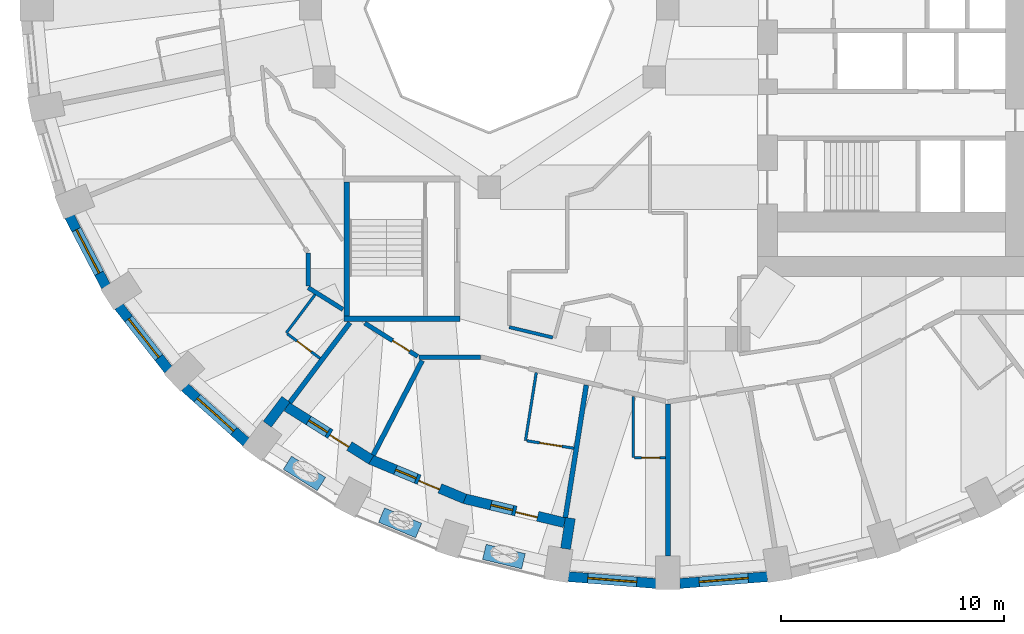
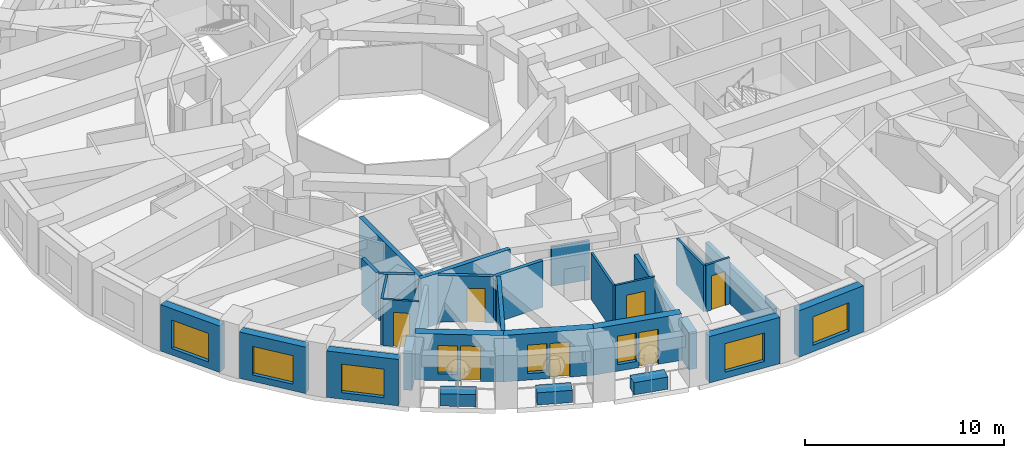
# One storey, part 3 of 13: 30 walls, 8 windows, 7 doors, 15 openings.
"""IFC4 building model written with IfcOpenShell, lengths in metres."""

from ifc_helpers import new_model, si_unit, direction, frame, frame_2d, origin, place, context, subcontext, project, spatial, rectangle, extrude, material, layer, layer_set, constituent, constituent_set, type_object, element, fill, save


model = new_model("IFC4")

# Units and contexts
model_context = context("Model", 3, precision=1e-05, world=origin(), true_north=direction((0.0, 1.0)))
body_context = subcontext(model_context, "Body", "Model", "MODEL_VIEW")
ifc_project = project(units=[si_unit("LENGTHUNIT", "METRE"), si_unit("AREAUNIT", "SQUARE_METRE"), si_unit("VOLUMEUNIT", "CUBIC_METRE"), si_unit("PLANEANGLEUNIT", "RADIAN"), si_unit("MASSUNIT", "GRAM", prefix="KILO")], contexts=[model_context])

# Site, building, storey
site_placement = place(None, origin())
site = spatial("IfcSite", under=ifc_project, at=site_placement, CompositionType="ELEMENT")
building_placement = place(site_placement, origin())
building = spatial("IfcBuilding", under=site, at=building_placement, Name="Taillehof Tower", CompositionType="ELEMENT")
storey_placement = place(building_placement, frame((0.0, 0.0, 81.10009765625)))
storey = spatial("IfcBuildingStorey", under=building, at=storey_placement, Name="L22", CompositionType="ELEMENT", Elevation=81.10009765625)

# Wall, opening, window
ifc_material_1 = material(Name="Brick masonry", Category="masonry")
ifc_layer_1 = layer(ifc_material_1, 0.449951171875)
ifc_layer_set_1 = layer_set([ifc_layer_1], Name="Brick infill wall 450")
wall_type_1 = type_object("IfcWallType", Name="Brick infill wall 450", PredefinedType="SOLIDWALL", material=ifc_layer_set_1)
wall_1_placement = place(storey_placement, frame((-26.78564453125, -9.30517578125, 0.0), z_axis=(0.0, 0.0, 1.0), x_axis=(0.462492775226, -0.886623050041, 0.0)))
wall_1 = element("IfcWall", 1, at=wall_1_placement, inside=storey, type_object=wall_type_1, Name="Brick wall L22 bay 21", PredefinedType="SOLIDWALL", context=body_context, shape_type="SweptSolid", body=[
    extrude(rectangle(XDim=3.531982421875, YDim=0.449951171875, at=frame_2d((1.76611328125, 0.0))), origin(), (0.0, 0.0, 1.0), 2.849853515625),
])
opening_1_placement = place(wall_1_placement, frame((0.666015625, 0.0, 0.39990234375)))
opening_1 = element("IfcOpeningElement", 2, at=opening_1_placement, cuts=wall_1, Name="Opening W1", PredefinedType="OPENING", context=body_context, shape_type="SweptSolid", body=[
    extrude(rectangle(XDim=2.199951171875, YDim=1.75, at=frame_2d((1.10009765625, 0.875))), frame((0.0, 0.23486328125, 0.0), z_axis=(0.0, -1.0, 0.0), x_axis=(1.0, 0.0, 0.0)), (0.0, 0.0, 1.0), 0.469970703125),
])
ifc_material_2 = material(Name="Aluminium window frame with clear double glazing", Category="aluminium")
window_type_1 = type_object("IfcWindowType", Name="Deep-set window 2200x1750", PartitioningType="SINGLE_PANEL", PredefinedType="WINDOW", material=ifc_material_2)
window_1_placement = place(opening_1_placement, origin())
window_1 = element("IfcWindow", 3, at=window_1_placement, inside=storey, type_object=window_type_1, Name="W1", OverallHeight=1.75, OverallWidth=2.199951171875, PartitioningType="SINGLE_PANEL", PredefinedType="WINDOW", context=body_context, shape_type="SweptSolid", body=[
    extrude(rectangle(XDim=2.199951171875, YDim=1.75, at=frame_2d((1.10009765625, 0.875))), frame((0.0, 0.034912109375, 0.0), z_axis=(0.0, -1.0, 0.0), x_axis=(1.0, 0.0, 0.0)), (0.0, 0.0, 1.0), 0.06005859375),
])
fill(opening_1, window_1)

wall_2_placement = place(storey_placement, frame((-24.57763671875, -13.327880859375, 0.0), z_axis=(0.0, 0.0, 1.0), x_axis=(0.616661975264, -0.787228053529, 0.0)))
wall_2 = element("IfcWall", 4, at=wall_2_placement, inside=storey, type_object=wall_type_1, Name="Brick wall L22 bay 22", PredefinedType="SOLIDWALL", context=body_context, shape_type="SweptSolid", body=[
    extrude(rectangle(XDim=3.60986328125, YDim=0.449951171875, at=frame_2d((1.804931640625, 0.0))), origin(), (0.0, 0.0, 1.0), 2.849853515625),
])
opening_2_placement = place(wall_2_placement, frame((0.704833984375, 0.0, 0.39990234375)))
opening_2 = element("IfcOpeningElement", 5, at=opening_2_placement, cuts=wall_2, Name="Opening W1", PredefinedType="OPENING", context=body_context, shape_type="SweptSolid", body=[
    extrude(rectangle(XDim=2.199951171875, YDim=1.75, at=frame_2d((1.10009765625, 0.875))), frame((0.0, 0.23486328125, 0.0), z_axis=(0.0, -1.0, 0.0), x_axis=(1.0, 0.0, 0.0)), (0.0, 0.0, 1.0), 0.469970703125),
])
window_2_placement = place(opening_2_placement, origin())
window_2 = element("IfcWindow", 6, at=window_2_placement, inside=storey, type_object=window_type_1, Name="W1", OverallHeight=1.75, OverallWidth=2.199951171875, PartitioningType="SINGLE_PANEL", PredefinedType="WINDOW", context=body_context, shape_type="SweptSolid", body=[
    extrude(rectangle(XDim=2.199951171875, YDim=1.75, at=frame_2d((1.10009765625, 0.875))), frame((0.0, 0.034912109375, 0.0), z_axis=(0.0, -1.0, 0.0), x_axis=(1.0, 0.0, 0.0)), (0.0, 0.0, 1.0), 0.06005859375),
])
fill(opening_2, window_2)

wall_3_placement = place(storey_placement, frame((-21.626708984375, -16.943115234375, 0.0), z_axis=(0.0, 0.0, 1.0), x_axis=(0.745526233716, -0.66647628228, 0.0)))
wall_3 = element("IfcWall", 7, at=wall_3_placement, inside=storey, type_object=wall_type_1, Name="Brick wall L22 bay 23", PredefinedType="SOLIDWALL", context=body_context, shape_type="SweptSolid", body=[
    extrude(rectangle(XDim=3.69677734375, YDim=0.449951171875, at=frame_2d((1.848388671875, 0.0))), origin(), (0.0, 0.0, 1.0), 2.849853515625),
])
opening_3_placement = place(wall_3_placement, frame((0.74853515625, 0.0, 0.39990234375)))
opening_3 = element("IfcOpeningElement", 8, at=opening_3_placement, cuts=wall_3, Name="Opening W1", PredefinedType="OPENING", context=body_context, shape_type="SweptSolid", body=[
    extrude(rectangle(XDim=2.199951171875, YDim=1.75, at=frame_2d((1.10009765625, 0.875))), frame((0.0, 0.23486328125, 0.0), z_axis=(0.0, -1.0, 0.0), x_axis=(1.0, 0.0, 0.0)), (0.0, 0.0, 1.0), 0.469970703125),
])
window_3_placement = place(opening_3_placement, origin())
window_3 = element("IfcWindow", 9, at=window_3_placement, inside=storey, type_object=window_type_1, Name="W1", OverallHeight=1.75, OverallWidth=2.199951171875, PartitioningType="SINGLE_PANEL", PredefinedType="WINDOW", context=body_context, shape_type="SweptSolid", body=[
    extrude(rectangle(XDim=2.199951171875, YDim=1.75, at=frame_2d((1.10009765625, 0.875))), frame((0.0, 0.034912109375, 0.0), z_axis=(0.0, -1.0, 0.0), x_axis=(1.0, 0.0, 0.0)), (0.0, 0.0, 1.0), 0.06005859375),
])
fill(opening_3, window_3)

wall_4_placement = place(storey_placement, frame((-4.457275390625, -25.42578125, 0.0), z_axis=(0.0, 0.0, 1.0), x_axis=(0.996955972145, -0.077966592873, 0.0)))
wall_4 = element("IfcWall", 10, at=wall_4_placement, inside=storey, type_object=wall_type_1, Name="Brick wall L22 bay 27", PredefinedType="SOLIDWALL", context=body_context, shape_type="SweptSolid", body=[
    extrude(rectangle(XDim=3.939208984375, YDim=0.449951171875, at=frame_2d((1.9697265625, 0.0))), origin(), (0.0, 0.0, 1.0), 2.849853515625),
])
opening_4_placement = place(wall_4_placement, frame((0.86962890625, 0.0, 0.39990234375)))
opening_4 = element("IfcOpeningElement", 11, at=opening_4_placement, cuts=wall_4, Name="Opening W1", PredefinedType="OPENING", context=body_context, shape_type="SweptSolid", body=[
    extrude(rectangle(XDim=2.199951171875, YDim=1.75, at=frame_2d((1.10009765625, 0.875))), frame((0.0, 0.23486328125, 0.0), z_axis=(0.0, -1.0, 0.0), x_axis=(1.0, 0.0, 0.0)), (0.0, 0.0, 1.0), 0.469970703125),
])
window_4_placement = place(opening_4_placement, origin())
window_4 = element("IfcWindow", 12, at=window_4_placement, inside=storey, type_object=window_type_1, Name="W1", OverallHeight=1.75, OverallWidth=2.199951171875, PartitioningType="SINGLE_PANEL", PredefinedType="WINDOW", context=body_context, shape_type="SweptSolid", body=[
    extrude(rectangle(XDim=2.199951171875, YDim=1.75, at=frame_2d((1.10009765625, 0.875))), frame((0.0, 0.034912109375, 0.0), z_axis=(0.0, -1.0, 0.0), x_axis=(1.0, 0.0, 0.0)), (0.0, 0.0, 1.0), 0.06005859375),
])
fill(opening_4, window_4)

wall_5_placement = place(storey_placement, frame((0.530029296875, -25.73291015625, 0.0), z_axis=(0.0, 0.0, 1.0), x_axis=(0.996955972145, 0.077966592873, 0.0)))
wall_5 = element("IfcWall", 13, at=wall_5_placement, inside=storey, type_object=wall_type_1, Name="Brick wall L22 bay 28", PredefinedType="SOLIDWALL", context=body_context, shape_type="SweptSolid", body=[
    extrude(rectangle(XDim=3.939208984375, YDim=0.449951171875, at=frame_2d((1.9697265625, 0.0))), origin(), (0.0, 0.0, 1.0), 2.849853515625),
])
opening_5_placement = place(wall_5_placement, frame((0.86962890625, 0.0, 0.39990234375)))
opening_5 = element("IfcOpeningElement", 14, at=opening_5_placement, cuts=wall_5, Name="Opening W1", PredefinedType="OPENING", context=body_context, shape_type="SweptSolid", body=[
    extrude(rectangle(XDim=2.199951171875, YDim=1.75, at=frame_2d((1.10009765625, 0.875))), frame((0.0, 0.23486328125, 0.0), z_axis=(0.0, -1.0, 0.0), x_axis=(1.0, 0.0, 0.0)), (0.0, 0.0, 1.0), 0.469970703125),
])
window_5_placement = place(opening_5_placement, origin())
window_5 = element("IfcWindow", 15, at=window_5_placement, inside=storey, type_object=window_type_1, Name="W1", OverallHeight=1.75, OverallWidth=2.199951171875, PartitioningType="SINGLE_PANEL", PredefinedType="WINDOW", context=body_context, shape_type="SweptSolid", body=[
    extrude(rectangle(XDim=2.199951171875, YDim=1.75, at=frame_2d((1.10009765625, 0.875))), frame((0.0, 0.034912109375, 0.0), z_axis=(0.0, -1.0, 0.0), x_axis=(1.0, 0.0, 0.0)), (0.0, 0.0, 1.0), 0.06005859375),
])
fill(opening_5, window_5)

# Walls
wall_6_placement = place(storey_placement, frame((-17.931640625, -18.60009765625, 0.0), z_axis=(0.0, 0.0, 1.0), x_axis=(0.601262851241, 0.799051302306, 0.0)))
element("IfcWall", 16, at=wall_6_placement, inside=storey, type_object=wall_type_1, Name="Brick reveal L22 pocket 7", PredefinedType="SOLIDWALL", context=body_context, shape_type="SweptSolid", body=[
    extrude(rectangle(XDim=1.39111328125, YDim=0.449951171875, at=frame_2d((0.695556640625, 0.0))), origin(), (0.0, 0.0, 1.0), 2.39990234375),
])
wall_7_placement = place(storey_placement, frame((-4.58251953125, -24.178466796875, 0.0), z_axis=(0.0, 0.0, 1.0), x_axis=(0.156133927791, 0.98773589415, 0.0)))
element("IfcWall", 17, at=wall_7_placement, inside=storey, type_object=wall_type_1, Name="Brick reveal L22 pocket 7", PredefinedType="SOLIDWALL", context=body_context, shape_type="SweptSolid", body=[
    extrude(rectangle(XDim=1.39013671875, YDim=0.449951171875, at=frame_2d((0.695068359375, 0.0))), origin(), (0.0, 0.0, 1.0), 2.2998046875),
])

# Wall, openings, door, window
wall_8_placement = place(storey_placement, frame((-17.062255859375, -17.81884765625, 0.0), z_axis=(0.0, 0.0, 1.0), x_axis=(0.846990101364, -0.531608660757, 0.0)))
wall_8 = element("IfcWall", 18, at=wall_8_placement, inside=storey, type_object=wall_type_1, Name="Brick wall L22 pocket bay 24", PredefinedType="SOLIDWALL", context=body_context, shape_type="SweptSolid", body=[
    extrude(rectangle(XDim=4.468994140625, YDim=0.449951171875, at=frame_2d((2.234375, 0.0))), origin(), (0.0, 0.0, 1.0), 2.849853515625),
])
opening_6_placement = place(wall_8_placement, frame((1.159423828125, 0.0, 0.39990234375)))
opening_6 = element("IfcOpeningElement", 19, at=opening_6_placement, cuts=wall_8, Name="Opening W5", PredefinedType="OPENING", context=body_context, shape_type="SweptSolid", body=[
    extrude(rectangle(XDim=1.0, YDim=1.75, at=frame_2d((0.5, 0.875))), frame((0.0, 0.23486328125, 0.0), z_axis=(0.0, -1.0, 0.0), x_axis=(1.0, 0.0, 0.0)), (0.0, 0.0, 1.0), 0.469970703125),
])
opening_7_placement = place(wall_8_placement, frame((2.3095703125, 0.0, 0.0)))
opening_7 = element("IfcOpeningElement", 20, at=opening_7_placement, cuts=wall_8, Name="Opening D2294", PredefinedType="OPENING", context=body_context, shape_type="SweptSolid", body=[
    extrude(rectangle(XDim=1.0, YDim=2.14990234375, at=frame_2d((0.5, 1.074951171875))), frame((0.0, 0.23486328125, 0.0), z_axis=(0.0, -1.0, 0.0), x_axis=(1.0, 0.0, 0.0)), (0.0, 0.0, 1.0), 0.469970703125),
])
ifc_material_3 = material(Name="Aluminium door frame with clear double glazing", Category="aluminium")
door_type_1 = type_object("IfcDoorType", Name="Balcony door 1000x2150", OperationType="SINGLE_SWING_RIGHT", PredefinedType="DOOR", material=ifc_material_3)
door_1_placement = place(opening_7_placement, frame((1.0, 0.0, 0.0), z_axis=(0.0, 0.0, 1.0), x_axis=(-1.0, 0.0, 0.0)))
door_1 = element("IfcDoor", 21, at=door_1_placement, inside=storey, type_object=door_type_1, Name="Balcony door L22 bay 24", OperationType="SINGLE_SWING_RIGHT", OverallHeight=2.14990234375, OverallWidth=1.0, PredefinedType="DOOR", context=body_context, shape_type="SweptSolid", body=[
    extrude(rectangle(XDim=1.0, YDim=2.14990234375, at=frame_2d((0.5, 1.074951171875))), frame((0.0, 0.0751953125, 0.0), z_axis=(0.0, -1.0, 0.0), x_axis=(1.0, 0.0, 0.0)), (0.0, 0.0, 1.0), 0.050048828125),
])
fill(opening_7, door_1)
ifc_material_4 = material(Name="Aluminium window frame with clear double glazing", Category="aluminium")
window_type_2 = type_object("IfcWindowType", Name="Fixed window 1000x1750", PartitioningType="SINGLE_PANEL", PredefinedType="WINDOW", material=ifc_material_4)
window_6_placement = place(opening_6_placement, origin())
window_6 = element("IfcWindow", 22, at=window_6_placement, inside=storey, type_object=window_type_2, Name="W5", OverallHeight=1.75, OverallWidth=1.0, PartitioningType="SINGLE_PANEL", PredefinedType="WINDOW", context=body_context, shape_type="SweptSolid", body=[
    extrude(rectangle(XDim=1.0, YDim=1.75, at=frame_2d((0.5, 0.875))), frame((0.0, 0.034912109375, 0.0), z_axis=(0.0, -1.0, 0.0), x_axis=(1.0, 0.0, 0.0)), (0.0, 0.0, 1.0), 0.06005859375),
])
fill(opening_6, window_6)

wall_9_placement = place(storey_placement, frame((-13.31005859375, -20.177734375, 0.0), z_axis=(0.0, 0.0, 1.0), x_axis=(0.922634412489, -0.385675693935, 0.0)))
wall_9 = element("IfcWall", 23, at=wall_9_placement, inside=storey, type_object=wall_type_1, Name="Brick wall L22 pocket bay 25", PredefinedType="SOLIDWALL", context=body_context, shape_type="SweptSolid", body=[
    extrude(rectangle(XDim=4.57666015625, YDim=0.449951171875, at=frame_2d((2.288330078125, 0.0))), origin(), (0.0, 0.0, 1.0), 2.849853515625),
])
opening_8_placement = place(wall_9_placement, frame((1.21337890625, 0.0, 0.39990234375)))
opening_8 = element("IfcOpeningElement", 24, at=opening_8_placement, cuts=wall_9, Name="Opening W5", PredefinedType="OPENING", context=body_context, shape_type="SweptSolid", body=[
    extrude(rectangle(XDim=1.0, YDim=1.75, at=frame_2d((0.5, 0.875))), frame((0.0, 0.23486328125, 0.0), z_axis=(0.0, -1.0, 0.0), x_axis=(1.0, 0.0, 0.0)), (0.0, 0.0, 1.0), 0.469970703125),
])
opening_9_placement = place(wall_9_placement, frame((2.36328125, 0.0, 0.0)))
opening_9 = element("IfcOpeningElement", 25, at=opening_9_placement, cuts=wall_9, Name="Opening D2295", PredefinedType="OPENING", context=body_context, shape_type="SweptSolid", body=[
    extrude(rectangle(XDim=1.0, YDim=2.14990234375, at=frame_2d((0.5, 1.074951171875))), frame((0.0, 0.23486328125, 0.0), z_axis=(0.0, -1.0, 0.0), x_axis=(1.0, 0.0, 0.0)), (0.0, 0.0, 1.0), 0.469970703125),
])
door_2_placement = place(opening_9_placement, frame((1.0, 0.0, 0.0), z_axis=(0.0, 0.0, 1.0), x_axis=(-1.0, 0.0, 0.0)))
door_2 = element("IfcDoor", 26, at=door_2_placement, inside=storey, type_object=door_type_1, Name="Balcony door L22 bay 25", OperationType="SINGLE_SWING_LEFT", OverallHeight=2.14990234375, OverallWidth=1.0, PredefinedType="DOOR", context=body_context, shape_type="SweptSolid", body=[
    extrude(rectangle(XDim=1.0, YDim=2.14990234375, at=frame_2d((0.5, 1.074951171875))), frame((0.0, 0.0751953125, 0.0), z_axis=(0.0, -1.0, 0.0), x_axis=(1.0, 0.0, 0.0)), (0.0, 0.0, 1.0), 0.050048828125),
])
fill(opening_9, door_2)
window_7_placement = place(opening_8_placement, origin())
window_7 = element("IfcWindow", 27, at=window_7_placement, inside=storey, type_object=window_type_2, Name="W5", OverallHeight=1.75, OverallWidth=1.0, PartitioningType="SINGLE_PANEL", PredefinedType="WINDOW", context=body_context, shape_type="SweptSolid", body=[
    extrude(rectangle(XDim=1.0, YDim=1.75, at=frame_2d((0.5, 0.875))), frame((0.0, 0.034912109375, 0.0), z_axis=(0.0, -1.0, 0.0), x_axis=(1.0, 0.0, 0.0)), (0.0, 0.0, 1.0), 0.06005859375),
])
fill(opening_8, window_7)

wall_10_placement = place(storey_placement, frame((-9.12158203125, -21.931640625, 0.0), z_axis=(0.0, 0.0, 1.0), x_axis=(0.972346547441, -0.233542697764, 0.0)))
wall_10 = element("IfcWall", 28, at=wall_10_placement, inside=storey, type_object=wall_type_1, Name="Brick wall L22 pocket bay 26", PredefinedType="SOLIDWALL", context=body_context, shape_type="SweptSolid", body=[
    extrude(rectangle(XDim=4.623779296875, YDim=0.449951171875, at=frame_2d((2.31201171875, 0.0))), origin(), (0.0, 0.0, 1.0), 2.849853515625),
])
opening_10_placement = place(wall_10_placement, frame((1.23681640625, 0.0, 0.39990234375)))
opening_10 = element("IfcOpeningElement", 29, at=opening_10_placement, cuts=wall_10, Name="Opening W5", PredefinedType="OPENING", context=body_context, shape_type="SweptSolid", body=[
    extrude(rectangle(XDim=1.0, YDim=1.75, at=frame_2d((0.5, 0.875))), frame((0.0, 0.23486328125, 0.0), z_axis=(0.0, -1.0, 0.0), x_axis=(1.0, 0.0, 0.0)), (0.0, 0.0, 1.0), 0.469970703125),
])
opening_11_placement = place(wall_10_placement, frame((2.38671875, 0.0, 0.0)))
opening_11 = element("IfcOpeningElement", 30, at=opening_11_placement, cuts=wall_10, Name="Opening D2296", PredefinedType="OPENING", context=body_context, shape_type="SweptSolid", body=[
    extrude(rectangle(XDim=1.0, YDim=2.14990234375, at=frame_2d((0.5, 1.074951171875))), frame((0.0, 0.23486328125, 0.0), z_axis=(0.0, -1.0, 0.0), x_axis=(1.0, 0.0, 0.0)), (0.0, 0.0, 1.0), 0.469970703125),
])
door_3_placement = place(opening_11_placement, frame((1.0, 0.0, 0.0), z_axis=(0.0, 0.0, 1.0), x_axis=(-1.0, 0.0, 0.0)))
door_3 = element("IfcDoor", 31, at=door_3_placement, inside=storey, type_object=door_type_1, Name="Balcony door L22 bay 26", OperationType="SINGLE_SWING_LEFT", OverallHeight=2.14990234375, OverallWidth=1.0, PredefinedType="DOOR", context=body_context, shape_type="SweptSolid", body=[
    extrude(rectangle(XDim=1.0, YDim=2.14990234375, at=frame_2d((0.5, 1.074951171875))), frame((0.0, 0.0751953125, 0.0), z_axis=(0.0, -1.0, 0.0), x_axis=(1.0, 0.0, 0.0)), (0.0, 0.0, 1.0), 0.050048828125),
])
fill(opening_11, door_3)
window_8_placement = place(opening_10_placement, origin())
window_8 = element("IfcWindow", 32, at=window_8_placement, inside=storey, type_object=window_type_2, Name="W5", OverallHeight=1.75, OverallWidth=1.0, PartitioningType="SINGLE_PANEL", PredefinedType="WINDOW", context=body_context, shape_type="SweptSolid", body=[
    extrude(rectangle(XDim=1.0, YDim=1.75, at=frame_2d((0.5, 0.875))), frame((0.0, 0.034912109375, 0.0), z_axis=(0.0, -1.0, 0.0), x_axis=(1.0, 0.0, 0.0)), (0.0, 0.0, 1.0), 0.06005859375),
])
fill(opening_10, window_8)

# Walls
ifc_material_5 = material(Name="Gypsum board on steel studs, two layers each side", Category="steel")
ifc_layer_2 = layer(ifc_material_5, 0.199951171875)
ifc_layer_set_2 = layer_set([ifc_layer_2], Name="Compartment wall corridor 200")
wall_type_2 = type_object("IfcWallType", Name="Compartment wall corridor 200", PredefinedType="PARTITIONING", material=ifc_layer_set_2)
wall_11_placement = place(storey_placement, frame((-14.544677734375, -13.46630859375, 0.0), z_axis=(0.0, 0.0, 1.0), x_axis=(-0.846973518375, 0.531635080832, 0.0)))
element("IfcWall", 33, at=wall_11_placement, inside=storey, type_object=wall_type_2, Name="Compartment wall", PredefinedType="PARTITIONING", context=body_context, shape_type="SweptSolid", body=[
    extrude(rectangle(XDim=1.83642578125, YDim=0.199951171875, at=frame_2d((0.918212890625, 0.0))), origin(), (0.0, 0.0, 1.0), 2.849853515625),
])
wall_12_placement = place(storey_placement, frame((-16.10009765625, -12.409912109375, 0.0), z_axis=(0.0, 0.0, 1.0), x_axis=(0.0, 1.0, 0.0)))
element("IfcWall", 34, at=wall_12_placement, inside=storey, type_object=wall_type_2, Name="Compartment wall", PredefinedType="PARTITIONING", context=body_context, shape_type="SweptSolid", body=[
    extrude(rectangle(XDim=1.464599609375, YDim=0.199951171875, at=frame_2d((0.732421875, 0.0))), origin(), (0.0, 0.0, 1.0), 2.849853515625),
])
wall_13_placement = place(storey_placement, frame((-8.38623046875, -15.60009765625, 0.0), z_axis=(0.0, 0.0, 1.0), x_axis=(-1.0, 0.0, 0.0)))
element("IfcWall", 35, at=wall_13_placement, inside=storey, type_object=wall_type_2, Name="Compartment wall", PredefinedType="PARTITIONING", context=body_context, shape_type="SweptSolid", body=[
    extrude(rectangle(XDim=2.759033203125, YDim=0.199951171875, at=frame_2d((1.37939453125, 0.0))), origin(), (0.0, 0.0, 1.0), 2.849853515625),
])

# Wall, opening, door
wall_14_placement = place(storey_placement, frame((-11.19580078125, -15.56787109375, 0.0), z_axis=(0.0, 0.0, 1.0), x_axis=(-0.847018542882, 0.531563343369, 0.0)))
wall_14 = element("IfcWall", 36, at=wall_14_placement, inside=storey, type_object=wall_type_2, Name="Compartment wall", PredefinedType="PARTITIONING", context=body_context, shape_type="SweptSolid", body=[
    extrude(rectangle(XDim=2.803955078125, YDim=0.199951171875, at=frame_2d((1.40185546875, 0.0))), origin(), (0.0, 0.0, 1.0), 2.849853515625),
])
opening_12_placement = place(wall_14_placement, frame((0.42919921875, 0.0, 0.0)))
opening_12 = element("IfcOpeningElement", 37, at=opening_12_placement, cuts=wall_14, Name="Opening D2255", PredefinedType="OPENING", context=body_context, shape_type="SweptSolid", body=[
    extrude(rectangle(XDim=0.89990234375, YDim=2.10009765625, at=frame_2d((0.449951171875, 1.050048828125))), frame((0.0, 0.10986328125, 0.0), z_axis=(0.0, -1.0, 0.0), x_axis=(1.0, 0.0, 0.0)), (0.0, 0.0, 1.0), 0.219970703125),
])
ifc_material_6 = material(Name="Timber door leaf in steel frame", Category="steel")
door_type_2 = type_object("IfcDoorType", Name="Service room door EI 30 900 x 2100", OperationType="SINGLE_SWING_LEFT", PredefinedType="DOOR", material=ifc_material_6)
door_4_placement = place(opening_12_placement, origin())
door_4 = element("IfcDoor", 38, at=door_4_placement, inside=storey, type_object=door_type_2, Name="D2255", OperationType="SINGLE_SWING_LEFT", OverallHeight=2.10009765625, OverallWidth=0.89990234375, PredefinedType="DOOR", context=body_context, shape_type="SweptSolid", body=[
    extrude(rectangle(XDim=0.89990234375, YDim=2.10009765625, at=frame_2d((0.449951171875, 1.050048828125))), frame((0.0, 0.02490234375, 0.0), z_axis=(0.0, -1.0, 0.0), x_axis=(1.0, 0.0, 0.0)), (0.0, 0.0, 1.0), 0.050048828125),
])
fill(opening_12, door_4)

# Walls
ifc_material_7 = material(Name="Gypsum board on double steel studs with mineral wool", Category="steel")
ifc_layer_3 = layer(ifc_material_7, 0.219970703125)
ifc_layer_set_3 = layer_set([ifc_layer_3], Name="Compartment wall guest room 220")
wall_type_3 = type_object("IfcWallType", Name="Compartment wall guest room 220", PredefinedType="PARTITIONING", material=ifc_layer_set_3)
wall_15_placement = place(storey_placement, frame((-16.926513671875, -17.638427734375, 0.0), z_axis=(0.0, 0.0, 1.0), x_axis=(0.601158965663, 0.799129462605, 0.0)))
element("IfcWall", 39, at=wall_15_placement, inside=storey, type_object=wall_type_3, Name="Compartment wall", PredefinedType="PARTITIONING", context=body_context, shape_type="SweptSolid", body=[
    extrude(rectangle(XDim=4.480224609375, YDim=0.219970703125, at=frame_2d((2.240234375, 0.0))), origin(), (0.0, 0.0, 1.0), 2.39990234375),
])
wall_16_placement = place(storey_placement, frame((-13.189208984375, -19.984375, 0.0), z_axis=(0.0, 0.0, 1.0), x_axis=(0.459694761863, 0.888076981976, 0.0)))
element("IfcWall", 40, at=wall_16_placement, inside=storey, type_object=wall_type_3, Name="Compartment wall", PredefinedType="PARTITIONING", context=body_context, shape_type="SweptSolid", body=[
    extrude(rectangle(XDim=4.763916015625, YDim=0.219970703125, at=frame_2d((2.3818359375, 0.0))), origin(), (0.0, 0.0, 1.0), 2.849853515625),
])
wall_17_placement = place(storey_placement, frame((-4.590576171875, -22.78857421875, 0.0), z_axis=(0.0, 0.0, 1.0), x_axis=(0.156141909376, 0.987734632448, 0.0)))
element("IfcWall", 41, at=wall_17_placement, inside=storey, type_object=wall_type_3, Name="Compartment wall", PredefinedType="PARTITIONING", context=body_context, shape_type="SweptSolid", body=[
    extrude(rectangle(XDim=6.011962890625, YDim=0.219970703125, at=frame_2d((3.005859375, 0.0))), origin(), (0.0, 0.0, 1.0), 2.2998046875),
])
wall_18_placement = place(storey_placement, frame((0.0, -24.5, 0.0), z_axis=(0.0, 0.0, 1.0), x_axis=(0.0, 1.0, 0.0)))
element("IfcWall", 42, at=wall_18_placement, inside=storey, type_object=wall_type_3, Name="Compartment wall", PredefinedType="PARTITIONING", context=body_context, shape_type="SweptSolid", body=[
    extrude(rectangle(XDim=6.7998046875, YDim=0.219970703125, at=frame_2d((3.39990234375, 0.0))), origin(), (0.0, 0.0, 1.0), 2.2998046875),
])
ifc_material_8 = material(Name="Gypsum board on steel studs, two layers each side", Category="steel")
ifc_layer_4 = layer(ifc_material_8, 0.14990234375)
ifc_layer_set_4 = layer_set([ifc_layer_4], Name="Compartment wall service room 150")
wall_type_4 = type_object("IfcWallType", Name="Compartment wall service room 150", PredefinedType="PARTITIONING", material=ifc_layer_set_4)
wall_19_placement = place(storey_placement, frame((-5.15380859375, -14.722900390625, 0.0), z_axis=(0.0, 0.0, 1.0), x_axis=(-0.97258848944, 0.232533073366, 0.0)))
element("IfcWall", 43, at=wall_19_placement, inside=storey, type_object=wall_type_4, Name="Compartment wall", PredefinedType="PARTITIONING", context=body_context, shape_type="SweptSolid", body=[
    extrude(rectangle(XDim=2.001220703125, YDim=0.14990234375, at=frame_2d((1.00048828125, 0.0))), origin(), (0.0, 0.0, 1.0), 2.39990234375),
])
ifc_material_9 = material(Name="Gypsum board on steel studs, moisture resistant", Category="steel")
ifc_layer_5 = layer(ifc_material_9, 0.1201171875)
ifc_layer_set_5 = layer_set([ifc_layer_5], Name="En-suite wall 120")
wall_type_5 = type_object("IfcWallType", Name="En-suite wall 120", PredefinedType="PARTITIONING", material=ifc_layer_set_5)
wall_20_placement = place(storey_placement, frame((-15.790771484375, -12.80224609375, 0.0), z_axis=(0.0, 0.0, 1.0), x_axis=(-0.601308910174, -0.79901664222, 0.0)))
element("IfcWall", 44, at=wall_20_placement, inside=storey, type_object=wall_type_5, Name="En-suite wall", PredefinedType="PARTITIONING", context=body_context, shape_type="SweptSolid", body=[
    extrude(rectangle(XDim=2.1474609375, YDim=0.1201171875, at=frame_2d((1.07373046875, 0.0))), origin(), (0.0, 0.0, 1.0), 2.849853515625),
])
wall_21_placement = place(storey_placement, frame((-5.892333984375, -16.294189453125, 0.0), z_axis=(0.0, 0.0, 1.0), x_axis=(-0.156190565974, -0.987726939544, 0.0)))
element("IfcWall", 45, at=wall_21_placement, inside=storey, type_object=wall_type_5, Name="En-suite wall", PredefinedType="PARTITIONING", context=body_context, shape_type="SweptSolid", body=[
    extrude(rectangle(XDim=3.079345703125, YDim=0.1201171875, at=frame_2d((1.53955078125, 0.0))), origin(), (0.0, 0.0, 1.0), 2.849853515625),
])
wall_22_placement = place(storey_placement, frame((-1.550048828125, -17.352294921875, 0.0), z_axis=(0.0, 0.0, 1.0), x_axis=(0.0, -1.0, 0.0)))
element("IfcWall", 46, at=wall_22_placement, inside=storey, type_object=wall_type_5, Name="En-suite wall", PredefinedType="PARTITIONING", context=body_context, shape_type="SweptSolid", body=[
    extrude(rectangle(XDim=2.747802734375, YDim=0.1201171875, at=frame_2d((1.3740234375, 0.0))), origin(), (0.0, 0.0, 1.0), 2.849853515625),
])

# Wall, opening, door
wall_23_placement = place(storey_placement, frame((-17.0341796875, -14.55419921875, 0.0), z_axis=(0.0, 0.0, 1.0), x_axis=(0.799182868338, -0.601087966071, 0.0)))
wall_23 = element("IfcWall", 47, at=wall_23_placement, inside=storey, type_object=wall_type_5, Name="En-suite wall", PredefinedType="PARTITIONING", context=body_context, shape_type="SweptSolid", body=[
    extrude(rectangle(XDim=1.830078125, YDim=0.1201171875, at=frame_2d((0.9150390625, 0.0))), origin(), (0.0, 0.0, 1.0), 2.849853515625),
])
opening_13_placement = place(wall_23_placement, frame((0.5400390625, 0.0, 0.0)))
opening_13 = element("IfcOpeningElement", 48, at=opening_13_placement, cuts=wall_23, Name="Opening D2254", PredefinedType="OPENING", context=body_context, shape_type="SweptSolid", body=[
    extrude(rectangle(XDim=0.800048828125, YDim=2.10009765625, at=frame_2d((0.39990234375, 1.050048828125))), frame((0.0, 0.070068359375, 0.0), z_axis=(0.0, -1.0, 0.0), x_axis=(1.0, 0.0, 0.0)), (0.0, 0.0, 1.0), 0.14013671875),
])
ifc_material_10 = material(Name="Timber door leaf in steel frame", Category="steel")
door_type_3 = type_object("IfcDoorType", Name="En-suite door 800 x 2100", OperationType="SINGLE_SWING_LEFT", PredefinedType="DOOR", material=ifc_material_10)
door_5_placement = place(opening_13_placement, origin())
door_5 = element("IfcDoor", 49, at=door_5_placement, inside=storey, type_object=door_type_3, Name="D2254", OperationType="SINGLE_SWING_LEFT", OverallHeight=2.10009765625, OverallWidth=0.800048828125, PredefinedType="DOOR", context=body_context, shape_type="SweptSolid", body=[
    extrude(rectangle(XDim=0.800048828125, YDim=2.10009765625, at=frame_2d((0.39990234375, 1.050048828125))), frame((0.0, 0.02490234375, 0.0), z_axis=(0.0, -1.0, 0.0), x_axis=(1.0, 0.0, 0.0)), (0.0, 0.0, 1.0), 0.050048828125),
])
fill(opening_13, door_5)

wall_24_placement = place(storey_placement, frame((-6.31396484375, -19.344970703125, 0.0), z_axis=(0.0, 0.0, 1.0), x_axis=(0.987720176341, -0.156233329506, 0.0)))
wall_24 = element("IfcWall", 50, at=wall_24_placement, inside=storey, type_object=wall_type_5, Name="En-suite wall", PredefinedType="PARTITIONING", context=body_context, shape_type="SweptSolid", body=[
    extrude(rectangle(XDim=2.1298828125, YDim=0.1201171875, at=frame_2d((1.06494140625, 0.0))), origin(), (0.0, 0.0, 1.0), 2.849853515625),
])
opening_14_placement = place(wall_24_placement, frame((0.590087890625, 0.0, 0.0)))
opening_14 = element("IfcOpeningElement", 51, at=opening_14_placement, cuts=wall_24, Name="Opening D2257", PredefinedType="OPENING", context=body_context, shape_type="SweptSolid", body=[
    extrude(rectangle(XDim=1.0, YDim=2.10009765625, at=frame_2d((0.5, 1.050048828125))), frame((0.0, 0.070068359375, 0.0), z_axis=(0.0, -1.0, 0.0), x_axis=(1.0, 0.0, 0.0)), (0.0, 0.0, 1.0), 0.14013671875),
])
ifc_material_11 = material(Name="Timber door leaf in steel frame", Category="steel")
door_type_4 = type_object("IfcDoorType", Name="Accessible en-suite door 1000 x 2100", OperationType="SINGLE_SWING_LEFT", PredefinedType="DOOR", material=ifc_material_11)
door_6_placement = place(opening_14_placement, origin())
door_6 = element("IfcDoor", 52, at=door_6_placement, inside=storey, type_object=door_type_4, Name="D2257", OperationType="SINGLE_SWING_LEFT", OverallHeight=2.10009765625, OverallWidth=1.0, PredefinedType="DOOR", context=body_context, shape_type="SweptSolid", body=[
    extrude(rectangle(XDim=1.0, YDim=2.10009765625, at=frame_2d((0.5, 1.050048828125))), frame((0.0, 0.02490234375, 0.0), z_axis=(0.0, -1.0, 0.0), x_axis=(1.0, 0.0, 0.0)), (0.0, 0.0, 1.0), 0.050048828125),
])
fill(opening_14, door_6)

wall_25_placement = place(storey_placement, frame((-1.489990234375, -20.10009765625, 0.0), z_axis=(0.0, 0.0, 1.0), x_axis=(1.0, 0.0, 0.0)))
wall_25 = element("IfcWall", 53, at=wall_25_placement, inside=storey, type_object=wall_type_5, Name="En-suite wall", PredefinedType="PARTITIONING", context=body_context, shape_type="SweptSolid", body=[
    extrude(rectangle(XDim=1.3798828125, YDim=0.1201171875, at=frame_2d((0.68994140625, 0.0))), origin(), (0.0, 0.0, 1.0), 2.849853515625),
])
opening_15_placement = place(wall_25_placement, frame((0.31494140625, 0.0, 0.0)))
opening_15 = element("IfcOpeningElement", 54, at=opening_15_placement, cuts=wall_25, Name="Opening D2259", PredefinedType="OPENING", context=body_context, shape_type="SweptSolid", body=[
    extrude(rectangle(XDim=0.800048828125, YDim=2.10009765625, at=frame_2d((0.39990234375, 1.050048828125))), frame((0.0, 0.070068359375, 0.0), z_axis=(0.0, -1.0, 0.0), x_axis=(1.0, 0.0, 0.0)), (0.0, 0.0, 1.0), 0.14013671875),
])
door_7_placement = place(opening_15_placement, origin())
door_7 = element("IfcDoor", 55, at=door_7_placement, inside=storey, type_object=door_type_3, Name="D2259", OperationType="SINGLE_SWING_LEFT", OverallHeight=2.10009765625, OverallWidth=0.800048828125, PredefinedType="DOOR", context=body_context, shape_type="SweptSolid", body=[
    extrude(rectangle(XDim=0.800048828125, YDim=2.10009765625, at=frame_2d((0.39990234375, 1.050048828125))), frame((0.0, 0.02490234375, 0.0), z_axis=(0.0, -1.0, 0.0), x_axis=(1.0, 0.0, 0.0)), (0.0, 0.0, 1.0), 0.050048828125),
])
fill(opening_15, door_7)

# Walls
ifc_material_12 = material(Name="Concrete C30/37 precast", Category="concrete")
ifc_constituent_1 = constituent(ifc_material_12, Name="Structure", Category="concrete")
ifc_material_13 = material(Name="Insulated lining")
ifc_constituent_2 = constituent(ifc_material_13, Name="Lining")
ifc_constituent_set = constituent_set(constituents=[ifc_constituent_1, ifc_constituent_2], Name="Planter trough 700x750")
wall_type_6 = type_object("IfcWallType", Name="Planter trough 700x750", PredefinedType="USERDEFINED", material=ifc_constituent_set)
wall_26_placement = place(storey_placement, frame((-17.03173828125, -20.327880859375, 0.0), z_axis=(0.0, 0.0, 1.0), x_axis=(0.847609446823, -0.530620604252, 0.0)))
element("IfcWall", 56, at=wall_26_placement, inside=storey, type_object=wall_type_6, Name="Planter L22 bay 24", ObjectType="PLANTER", PredefinedType="USERDEFINED", context=body_context, shape_type="SweptSolid", body=[
    extrude(rectangle(XDim=1.7998046875, YDim=0.699951171875, at=frame_2d((0.89990234375, 0.0))), origin(), (0.0, 0.0, 1.0), 0.75),
])
for number, where, z_axis, x_axis, name in (
    (57, (-12.816650390625, -22.669677734375, 0.0), (0.0, 0.0, 1.0), (0.923000660042, -0.384798364811, 0.0), "Planter L22 bay 25"),
    (58, (-8.215087890625, -24.318115234375, 0.0), (0.0, 0.0, 1.0), (0.972504142103, -0.232885580473, 0.0), "Planter L22 bay 26"),
):
    element("IfcWall", number, at=place(storey_placement, frame(where, z_axis=z_axis, x_axis=x_axis)), inside=storey, type_object=wall_type_6, Name=name, ObjectType="PLANTER", PredefinedType="USERDEFINED", context=body_context, shape_type="SweptSolid", body=[
        extrude(rectangle(XDim=1.800048828125, YDim=0.699951171875, at=frame_2d((0.89990234375, 0.0))), origin(), (0.0, 0.0, 1.0), 0.75),
    ])
ifc_material_14 = material(Name="Concrete C50/60", Category="concrete")
ifc_layer_6 = layer(ifc_material_14, 0.25)
ifc_layer_set_6 = layer_set([ifc_layer_6], Name="Stair wall C50/60 250")
wall_type_7 = type_object("IfcWallType", Name="Stair wall C50/60 250", PredefinedType="SHEAR", material=ifc_layer_set_6)
wall_27_placement = place(storey_placement, frame((-14.375, -13.75, -0.280029296875), z_axis=(0.0, 0.0, 1.0), x_axis=(0.0, 1.0, 0.0)))
element("IfcWall", 59, at=wall_27_placement, inside=storey, type_object=wall_type_7, Name="Stair wall SC", PredefinedType="SHEAR", context=body_context, shape_type="SweptSolid", body=[
    extrude(rectangle(XDim=6.0, YDim=0.25, at=frame_2d((3.0, 0.0))), origin(), (0.0, 0.0, 1.0), 3.1298828125),
])
wall_28_placement = place(storey_placement, frame((-14.5, -13.875, -0.280029296875), z_axis=(0.0, 0.0, 1.0), x_axis=(1.0, 0.0, 0.0)))
element("IfcWall", 60, at=wall_28_placement, inside=storey, type_object=wall_type_7, Name="Stair wall SC", PredefinedType="SHEAR", context=body_context, shape_type="SweptSolid", body=[
    extrude(rectangle(XDim=5.199951171875, YDim=0.25, at=frame_2d((2.60009765625, 0.0))), origin(), (0.0, 0.0, 1.0), 3.1298828125),
])

save(model, "model.ifc")
